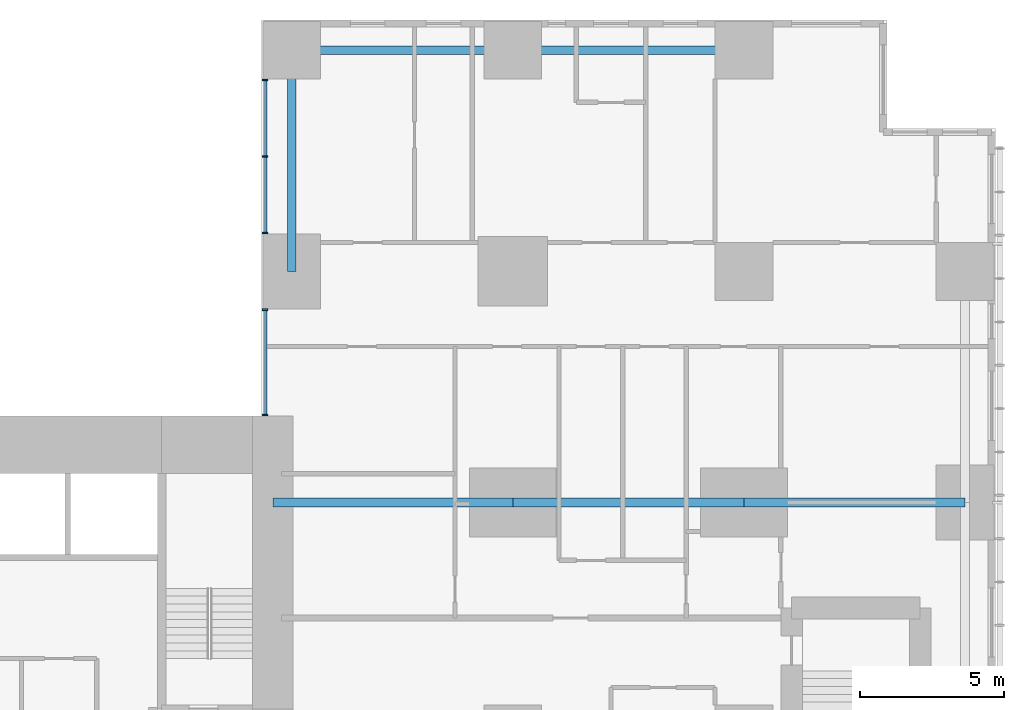
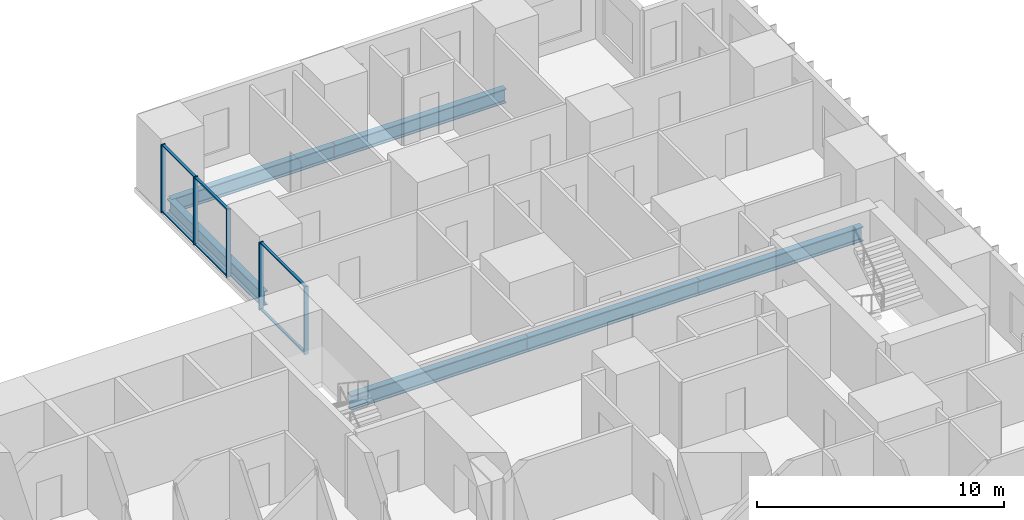
# One storey, part 5 of 20: 11 members, 6 beams, 2 elements without a shape of their own.
"""IFC4 building model written with IfcOpenShell, lengths in metres."""

from ifc_helpers import new_model, si_unit, direction, frame, origin, origin_2d, place, context, subcontext, project, spatial, rectangle, i_section, extrude, material, layer, layer_set, material_profile, profile_set, type_object, element, aggregate, save


model = new_model("IFC4")

# Units and contexts
model_context = context("Model", 3, precision=1e-05, world=origin(), true_north=direction((0.0, 1.0)))
body_context = subcontext(model_context, "Body", "Model", "MODEL_VIEW")
ifc_project = project(units=[si_unit("LENGTHUNIT", "METRE"), si_unit("AREAUNIT", "SQUARE_METRE"), si_unit("VOLUMEUNIT", "CUBIC_METRE"), si_unit("PLANEANGLEUNIT", "RADIAN"), si_unit("MASSUNIT", "GRAM", prefix="KILO")], contexts=[model_context])

# Site, building, storey
site_placement = place(None, origin())
site = spatial("IfcSite", under=ifc_project, at=site_placement, CompositionType="ELEMENT")
building_placement = place(site_placement, origin())
building = spatial("IfcBuilding", under=site, at=building_placement, Name="Cleftline Residences", CompositionType="ELEMENT")
storey_placement = place(building_placement, frame((0.0, 0.0, 44.0)))
storey = spatial("IfcBuildingStorey", under=building, at=storey_placement, Name="L10", CompositionType="ELEMENT", Elevation=44.0)

# Beams
ifc_material_1 = material(Name="Steel S355", Category="steel")
ifc_material_profile_1 = material_profile(ifc_material_1, i_section(OverallWidth=0.300048828125, OverallDepth=0.699951171875, WebThickness=0.01708984375, FlangeThickness=0.031982421875, FilletRadius=0.027099609375, at=origin_2d()))
ifc_profile_set_1 = profile_set([ifc_material_profile_1], Name="Steel S355")
beam_type_1 = type_object("IfcBeamType", Name="BEAM HEB 700", PredefinedType="BEAM", material=ifc_profile_set_1)
beam_1_placement = place(storey_placement, frame((58.0, 47.64990234375, -0.60009765625), z_axis=(-1.0, 0.0, 0.0), x_axis=(0.0, -1.0, 0.0)))
element("IfcBeam", 1, at=beam_1_placement, inside=storey, type_object=beam_type_1, Name="Edge beam", PredefinedType="BEAM", context=body_context, shape_type="SweptSolid", body=[
    extrude(i_section(OverallWidth=0.300048828125, OverallDepth=0.699951171875, WebThickness=0.01708984375, FlangeThickness=0.031982421875, FilletRadius=0.027099609375, at=origin_2d()), origin(), (0.0, 0.0, 1.0), 8.0),
])
for number, where, z_axis, x_axis, name in (
    (2, (50.0, 47.64990234375, -0.60009765625), (-1.0, 0.0, 0.0), (0.0, -1.0, 0.0), "Edge beam"),
    (3, (42.35009765625, 47.64990234375, -0.60009765625), (0.0, -1.0, 0.0), (1.0, 0.0, 0.0), "Edge beam"),
):
    element("IfcBeam", number, at=place(storey_placement, frame(where, z_axis=z_axis, x_axis=x_axis)), inside=storey, type_object=beam_type_1, Name=name, PredefinedType="BEAM", context=body_context, shape_type="SweptSolid", body=[
        extrude(i_section(OverallWidth=0.300048828125, OverallDepth=0.699951171875, WebThickness=0.01708984375, FlangeThickness=0.031982421875, FilletRadius=0.027099609375, at=origin_2d()), origin(), (0.0, 0.0, 1.0), 7.64990234375),
    ])
ifc_material_2 = material(Name="Steel S355", Category="steel")
ifc_material_profile_2 = material_profile(ifc_material_2, i_section(OverallWidth=0.303955078125, OverallDepth=0.716064453125, WebThickness=0.02099609375, FlangeThickness=0.0400390625, FilletRadius=0.027099609375, at=origin_2d()))
ifc_profile_set_2 = profile_set([ifc_material_profile_2], Name="Steel S355")
beam_type_2 = type_object("IfcBeamType", Name="BEAM HEM 700", PredefinedType="BEAM", material=ifc_profile_set_2)
beam_2_placement = place(storey_placement, frame((65.64990234375, 32.0, -0.60791015625), z_axis=(-1.0, 0.0, 0.0), x_axis=(0.0, -1.0, 0.0)))
element("IfcBeam", 4, at=beam_2_placement, inside=storey, type_object=beam_type_2, Name="Band beam", PredefinedType="BEAM", context=body_context, shape_type="SweptSolid", body=[
    extrude(i_section(OverallWidth=0.303955078125, OverallDepth=0.716064453125, WebThickness=0.02099609375, FlangeThickness=0.0400390625, FilletRadius=0.027099609375, at=origin_2d()), origin(), (0.0, 0.0, 1.0), 7.64990234375),
])
beam_3_placement = place(storey_placement, frame((58.0, 32.0, -0.60791015625), z_axis=(-1.0, 0.0, 0.0), x_axis=(0.0, -1.0, 0.0)))
element("IfcBeam", 5, at=beam_3_placement, inside=storey, type_object=beam_type_2, Name="Band beam", PredefinedType="BEAM", context=body_context, shape_type="SweptSolid", body=[
    extrude(i_section(OverallWidth=0.303955078125, OverallDepth=0.716064453125, WebThickness=0.02099609375, FlangeThickness=0.0400390625, FilletRadius=0.027099609375, at=origin_2d()), origin(), (0.0, 0.0, 1.0), 8.0),
])
beam_4_placement = place(storey_placement, frame((50.0, 32.0, -0.60791015625), z_axis=(-1.0, 0.0, 0.0), x_axis=(0.0, -1.0, 0.0)))
element("IfcBeam", 6, at=beam_4_placement, inside=storey, type_object=beam_type_2, Name="Band beam", PredefinedType="BEAM", context=body_context, shape_type="SweptSolid", body=[
    extrude(i_section(OverallWidth=0.303955078125, OverallDepth=0.716064453125, WebThickness=0.02099609375, FlangeThickness=0.0400390625, FilletRadius=0.027099609375, at=origin_2d()), origin(), (0.0, 0.0, 1.0), 8.300048828125),
])

# Curtain wall, members
ifc_material_3 = material(Name="Aluminium framed curtain wall", Category="aluminium")
ifc_layer = layer(ifc_material_3, 0.199951171875)
ifc_layer_set = layer_set([ifc_layer], Name="CW1 CLEFT GLAZING")
curtain_wall_type = type_object("IfcCurtainWallType", Name="CW1 CLEFT GLAZING", PredefinedType="NOTDEFINED", material=ifc_layer_set)
curtain_wall_1_placement = place(storey_placement, origin())
curtain_wall_1 = element("IfcCurtainWall", 7, at=curtain_wall_1_placement, inside=storey, type_object=curtain_wall_type, Name="Curtain wall CW1", PredefinedType="NOTDEFINED")
ifc_material_4 = material(Name="Aluminium mullion", Category="aluminium")
ifc_material_profile_3 = material_profile(ifc_material_4, rectangle(XDim=0.199951171875, YDim=0.06005859375, at=origin_2d()))
ifc_profile_set_3 = profile_set([ifc_material_profile_3], Name="Aluminium mullion")
member_type_1 = type_object("IfcMemberType", Name="CW1 MULLION", PredefinedType="MULLION", material=ifc_profile_set_3)
member_1_placement = place(storey_placement, frame((41.425048828125, 46.6201171875, 0.0), z_axis=(0.0, 0.0, 1.0), x_axis=(1.0, 0.0, 0.0)))
member_1 = element("IfcMember", 8, at=member_1_placement, type_object=member_type_1, Name="CW1 mullion 1", PredefinedType="MULLION", context=body_context, shape_type="SweptSolid", body=[
    extrude(rectangle(XDim=0.199951171875, YDim=0.06005859375, at=origin_2d()), origin(), (0.0, 0.0, 1.0), 3.35009765625),
])
member_2_placement = place(storey_placement, frame((41.425048828125, 43.97509765625, 0.0), z_axis=(0.0, 0.0, 1.0), x_axis=(1.0, 0.0, 0.0)))
member_2 = element("IfcMember", 9, at=member_2_placement, type_object=member_type_1, Name="CW1 mullion 2", PredefinedType="MULLION", context=body_context, shape_type="SweptSolid", body=[
    extrude(rectangle(XDim=0.199951171875, YDim=0.06005859375, at=origin_2d()), origin(), (0.0, 0.0, 1.0), 3.35009765625),
])
member_3_placement = place(storey_placement, frame((41.425048828125, 41.330078125, 0.0), z_axis=(0.0, 0.0, 1.0), x_axis=(1.0, 0.0, 0.0)))
member_3 = element("IfcMember", 10, at=member_3_placement, type_object=member_type_1, Name="CW1 mullion 3", PredefinedType="MULLION", context=body_context, shape_type="SweptSolid", body=[
    extrude(rectangle(XDim=0.199951171875, YDim=0.06005859375, at=origin_2d()), origin(), (0.0, 0.0, 1.0), 3.35009765625),
])

curtain_wall_2_placement = place(storey_placement, origin())
curtain_wall_2 = element("IfcCurtainWall", 11, at=curtain_wall_2_placement, inside=storey, type_object=curtain_wall_type, Name="Curtain wall CW1", PredefinedType="NOTDEFINED")
member_4_placement = place(storey_placement, frame((41.425048828125, 38.669921875, 0.0), z_axis=(0.0, 0.0, 1.0), x_axis=(1.0, 0.0, 0.0)))
member_4 = element("IfcMember", 12, at=member_4_placement, type_object=member_type_1, Name="CW1 mullion 1", PredefinedType="MULLION", context=body_context, shape_type="SweptSolid", body=[
    extrude(rectangle(XDim=0.199951171875, YDim=0.06005859375, at=origin_2d()), origin(), (0.0, 0.0, 1.0), 3.35009765625),
])
member_5_placement = place(storey_placement, frame((41.425048828125, 35.030029296875, 0.0), z_axis=(0.0, 0.0, 1.0), x_axis=(1.0, 0.0, 0.0)))
member_5 = element("IfcMember", 13, at=member_5_placement, type_object=member_type_1, Name="CW1 mullion 2", PredefinedType="MULLION", context=body_context, shape_type="SweptSolid", body=[
    extrude(rectangle(XDim=0.199951171875, YDim=0.06005859375, at=origin_2d()), origin(), (0.0, 0.0, 1.0), 3.35009765625),
])

# Member
ifc_material_5 = material(Name="Aluminium transom", Category="aluminium")
ifc_material_profile_4 = material_profile(ifc_material_5, rectangle(XDim=0.1201171875, YDim=0.06005859375, at=origin_2d()))
ifc_profile_set_4 = profile_set([ifc_material_profile_4], Name="Aluminium transom")
member_type_2 = type_object("IfcMemberType", Name="CW1 TRANSOM", PredefinedType="USERDEFINED", material=ifc_profile_set_4)
member_6_placement = place(storey_placement, frame((41.425048828125, 46.590087890625, 0.030029296875), z_axis=(0.0, -1.0, 0.0), x_axis=(1.0, 0.0, 0.0)))
member_6 = element("IfcMember", 14, at=member_6_placement, type_object=member_type_2, Name="CW1 transom 1.1", ObjectType="TRANSOM", PredefinedType="USERDEFINED", context=body_context, shape_type="SweptSolid", body=[
    extrude(rectangle(XDim=0.1201171875, YDim=0.06005859375, at=origin_2d()), origin(), (0.0, 0.0, 1.0), 2.585205078125),
])

member_7_placement = place(storey_placement, frame((41.425048828125, 46.590087890625, 3.320068359375), z_axis=(0.0, -1.0, 0.0), x_axis=(1.0, 0.0, 0.0)))
member_7 = element("IfcMember", 15, at=member_7_placement, type_object=member_type_2, Name="CW1 transom 1.2", ObjectType="TRANSOM", PredefinedType="USERDEFINED", context=body_context, shape_type="SweptSolid", body=[
    extrude(rectangle(XDim=0.1201171875, YDim=0.06005859375, at=origin_2d()), origin(), (0.0, 0.0, 1.0), 2.585205078125),
])

member_8_placement = place(storey_placement, frame((41.425048828125, 43.945068359375, 0.030029296875), z_axis=(0.0, -1.0, 0.0), x_axis=(1.0, 0.0, 0.0)))
member_8 = element("IfcMember", 16, at=member_8_placement, type_object=member_type_2, Name="CW1 transom 2.1", ObjectType="TRANSOM", PredefinedType="USERDEFINED", context=body_context, shape_type="SweptSolid", body=[
    extrude(rectangle(XDim=0.1201171875, YDim=0.06005859375, at=origin_2d()), origin(), (0.0, 0.0, 1.0), 2.5849609375),
])

member_9_placement = place(storey_placement, frame((41.425048828125, 43.945068359375, 3.320068359375), z_axis=(0.0, -1.0, 0.0), x_axis=(1.0, 0.0, 0.0)))
member_9 = element("IfcMember", 17, at=member_9_placement, type_object=member_type_2, Name="CW1 transom 2.2", ObjectType="TRANSOM", PredefinedType="USERDEFINED", context=body_context, shape_type="SweptSolid", body=[
    extrude(rectangle(XDim=0.1201171875, YDim=0.06005859375, at=origin_2d()), origin(), (0.0, 0.0, 1.0), 2.5849609375),
])

aggregate(curtain_wall_1, [member_1, member_2, member_3, member_6, member_7, member_8, member_9])

member_10_placement = place(storey_placement, frame((41.425048828125, 38.639892578125, 0.030029296875), z_axis=(0.0, -1.0, 0.0), x_axis=(1.0, 0.0, 0.0)))
member_10 = element("IfcMember", 18, at=member_10_placement, type_object=member_type_2, Name="CW1 transom 1.1", ObjectType="TRANSOM", PredefinedType="USERDEFINED", context=body_context, shape_type="SweptSolid", body=[
    extrude(rectangle(XDim=0.1201171875, YDim=0.06005859375, at=origin_2d()), origin(), (0.0, 0.0, 1.0), 3.579833984375),
])

member_11_placement = place(storey_placement, frame((41.425048828125, 38.639892578125, 3.320068359375), z_axis=(0.0, -1.0, 0.0), x_axis=(1.0, 0.0, 0.0)))
member_11 = element("IfcMember", 19, at=member_11_placement, type_object=member_type_2, Name="CW1 transom 1.2", ObjectType="TRANSOM", PredefinedType="USERDEFINED", context=body_context, shape_type="SweptSolid", body=[
    extrude(rectangle(XDim=0.1201171875, YDim=0.06005859375, at=origin_2d()), origin(), (0.0, 0.0, 1.0), 3.579833984375),
])

aggregate(curtain_wall_2, [member_4, member_5, member_10, member_11])

save(model, "model.ifc")
